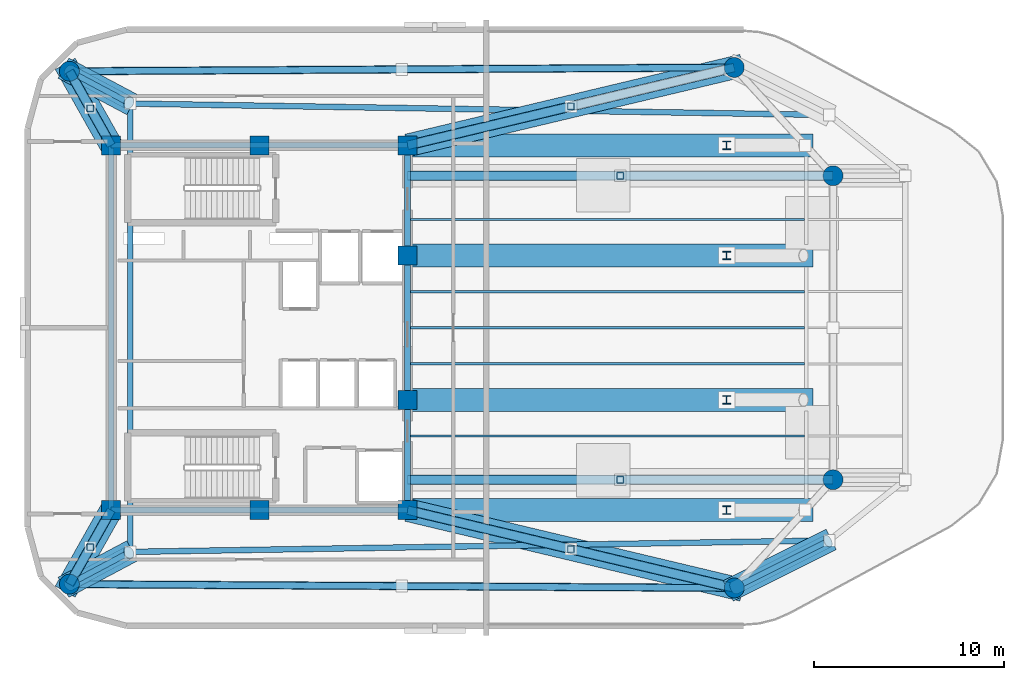
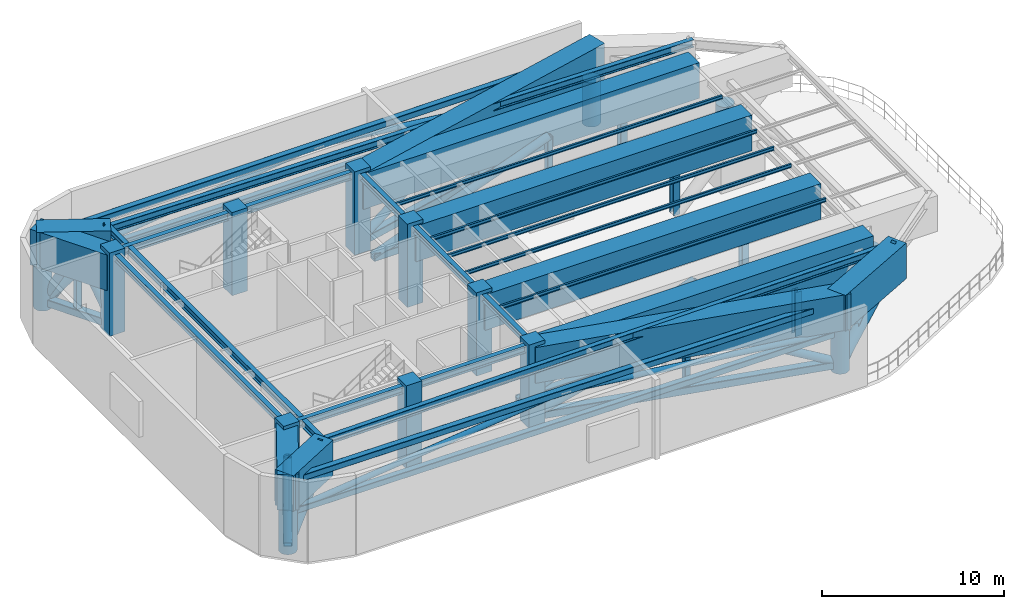
# One storey, part 1 of 6: 32 members, 28 beams, 18 columns.
"""IFC4 building model written with IfcOpenShell, lengths in metres."""

from ifc_helpers import new_model, si_unit, direction, frame, origin, origin_2d, place, context, subcontext, project, spatial, rectangle, hollow_rectangle, circle, hollow_circle, i_section, extrude, material, material_profile, profile_set, type_object, element, save


model = new_model("IFC4")

# Units and contexts
model_context = context("Model", 3, precision=1e-05, world=origin(), true_north=direction((0.0, 1.0)))
body_context = subcontext(model_context, "Body", "Model", "MODEL_VIEW")
ifc_project = project(units=[si_unit("LENGTHUNIT", "METRE"), si_unit("AREAUNIT", "SQUARE_METRE"), si_unit("VOLUMEUNIT", "CUBIC_METRE"), si_unit("PLANEANGLEUNIT", "RADIAN"), si_unit("MASSUNIT", "GRAM", prefix="KILO")], contexts=[model_context])

# Site, building, storey
site_placement = place(None, origin())
site = spatial("IfcSite", under=ifc_project, at=site_placement, CompositionType="ELEMENT")
building_placement = place(site_placement, origin())
building = spatial("IfcBuilding", under=site, at=building_placement, Name="An Khanh Terracotta Commons", CompositionType="ELEMENT")
storey_placement = place(building_placement, frame((0.0, 0.0, 248.10009765625)))
storey = spatial("IfcBuildingStorey", under=building, at=storey_placement, Name="L65", CompositionType="ELEMENT", Elevation=248.10009765625)

# Columns
ifc_material_1 = material(Name="Concrete C60/75", Category="concrete")
ifc_material_profile_1 = material_profile(ifc_material_1, circle(Radius=0.52490234375, at=origin_2d()), Name="CFST1050")
ifc_profile_set_1 = profile_set([ifc_material_profile_1], Name="Concrete C60/75")
column_type_1 = type_object("IfcColumnType", Name="COL-CFST1050", PredefinedType="COLUMN", material=ifc_profile_set_1)
for number, where, z_axis, x_axis, name in (
    (1, (19.39990234375, 10.5, 0.0), (0.0, 0.0, 1.0), (1.0, 0.0, 0.0), "L65 Perimeter CFST Mega-Column MC-01"),
    (2, (54.39990234375, 10.300048828125, 0.0), (0.0, 0.0, 1.0), (1.0, 0.0, 0.0), "L65 Perimeter CFST Mega-Column MC-02"),
    (3, (59.60009765625, 16.0, 0.0), (0.0, 0.0, 1.0), (1.0, 0.0, 0.0), "L65 Perimeter CFST Mega-Column MC-03"),
    (4, (59.60009765625, 32.0, 0.0), (0.0, 0.0, 1.0), (1.0, 0.0, 0.0), "L65 Perimeter CFST Mega-Column MC-04"),
    (5, (54.39990234375, 37.699951171875, 0.0), (0.0, 0.0, 1.0), (1.0, 0.0, 0.0), "L65 Perimeter CFST Mega-Column MC-05"),
    (6, (19.39990234375, 37.5, 0.0), (0.0, 0.0, 1.0), (1.0, 0.0, 0.0), "L65 Perimeter CFST Mega-Column MC-06"),
):
    element("IfcColumn", number, at=place(storey_placement, frame(where, z_axis=z_axis, x_axis=x_axis)), inside=storey, type_object=column_type_1, Name=name, PredefinedType="COLUMN", context=body_context, shape_type="SweptSolid", body=[
        extrude(circle(Radius=0.52490234375, at=origin_2d()), origin(), (0.0, 0.0, 1.0), 2.9599609375),
    ])
ifc_material_2 = material(Name="Steel S460ML", Category="steel")
ifc_material_profile_2 = material_profile(ifc_material_2, i_section(OverallWidth=0.406005859375, OverallDepth=0.43994140625, WebThickness=0.02392578125, FlangeThickness=0.0390625, FilletRadius=0.014892578125, at=origin_2d()), Name="HD400x314")
ifc_profile_set_2 = profile_set([ifc_material_profile_2], Name="Steel S460ML")
column_type_2 = type_object("IfcColumnType", Name="COL-HD400x314", PredefinedType="COLUMN", material=ifc_profile_set_2)
for number, where, z_axis, x_axis, name in (
    (7, (54.0, 14.39990234375, 0.0), (0.0, 0.0, 1.0), (1.0, 0.0, 0.0), "L65 Interior Frame Column TC-01"),
    (8, (54.0, 20.199951171875, 0.0), (0.0, 0.0, 1.0), (1.0, 0.0, 0.0), "L65 Interior Frame Column TC-02"),
    (9, (54.0, 27.800048828125, 0.0), (0.0, 0.0, 1.0), (1.0, 0.0, 0.0), "L65 Interior Frame Column TC-03"),
    (10, (54.0, 33.60009765625, 0.0), (0.0, 0.0, 1.0), (1.0, 0.0, 0.0), "L65 Interior Frame Column TC-04"),
):
    element("IfcColumn", number, at=place(storey_placement, frame(where, z_axis=z_axis, x_axis=x_axis)), inside=storey, type_object=column_type_2, Name=name, PredefinedType="COLUMN", context=body_context, shape_type="SweptSolid", body=[
        extrude(i_section(OverallWidth=0.406005859375, OverallDepth=0.43994140625, WebThickness=0.02392578125, FlangeThickness=0.0390625, FilletRadius=0.014892578125, at=origin_2d()), origin(), (0.0, 0.0, 1.0), 2.9599609375),
    ])
ifc_material_profile_3 = material_profile(ifc_material_1, rectangle(XDim=1.0, YDim=1.0, at=origin_2d()), Name="RC1000x1000")
ifc_profile_set_3 = profile_set([ifc_material_profile_3], Name="Concrete C60/75")
column_type_3 = type_object("IfcColumnType", Name="COL-RC1000x1000", PredefinedType="COLUMN", material=ifc_profile_set_3)
for number, where, z_axis, x_axis, name in (
    (11, (21.60009765625, 14.39990234375, 0.0), (0.0, 0.0, 1.0), (1.0, 0.0, 0.0), "L65 Core Boundary Column CC-01"),
    (12, (29.39990234375, 14.39990234375, 0.0), (0.0, 0.0, 1.0), (1.0, 0.0, 0.0), "L65 Core Boundary Column CC-02"),
    (13, (37.199951171875, 14.39990234375, 0.0), (0.0, 0.0, 1.0), (1.0, 0.0, 0.0), "L65 Core Boundary Column CC-03"),
    (14, (37.199951171875, 20.199951171875, 0.0), (0.0, 0.0, 1.0), (1.0, 0.0, 0.0), "L65 Core Boundary Column CC-04"),
    (15, (37.199951171875, 27.800048828125, 0.0), (0.0, 0.0, 1.0), (1.0, 0.0, 0.0), "L65 Core Boundary Column CC-05"),
    (16, (37.199951171875, 33.60009765625, 0.0), (0.0, 0.0, 1.0), (1.0, 0.0, 0.0), "L65 Core Boundary Column CC-06"),
    (17, (29.39990234375, 33.60009765625, 0.0), (0.0, 0.0, 1.0), (1.0, 0.0, 0.0), "L65 Core Boundary Column CC-07"),
    (18, (21.60009765625, 33.60009765625, 0.0), (0.0, 0.0, 1.0), (1.0, 0.0, 0.0), "L65 Core Boundary Column CC-08"),
):
    element("IfcColumn", number, at=place(storey_placement, frame(where, z_axis=z_axis, x_axis=x_axis)), inside=storey, type_object=column_type_3, Name=name, PredefinedType="COLUMN", context=body_context, shape_type="SweptSolid", body=[
        extrude(rectangle(XDim=1.0, YDim=1.0, at=origin_2d()), origin(), (0.0, 0.0, 1.0), 5.599853515625),
    ])

# Members
ifc_material_profile_4 = material_profile(ifc_material_2, hollow_rectangle(XDim=0.39990234375, YDim=0.39990234375, WallThickness=0.02001953125, InnerFilletRadius=0.02001953125, OuterFilletRadius=0.0400390625, at=origin_2d()), Name="SHS400x400x20")
ifc_profile_set_4 = profile_set([ifc_material_profile_4], Name="Steel S460ML")
member_type_1 = type_object("IfcMemberType", Name="BELT-CHORD-SHS400", PredefinedType="CHORD", material=ifc_profile_set_4)
for number, where, z_axis, x_axis, name in (
    (19, (19.39990234375, 10.5, 2.5498046875), (0.99998368184, -0.005712797401, 0.0), (0.005712797401, 0.99998368184, 0.0), "L65 Belt-Truss Bottom Chord 1"),
    (20, (19.39990234375, 10.5, 4.60986328125), (0.99998368184, -0.005712797401, 0.0), (0.005712797401, 0.99998368184, 0.0), "L65 Belt-Truss Top Chord 1"),
    (21, (54.39990234375, 37.699951171875, 2.5498046875), (-0.99998368184, -0.005712797401, 0.0), (0.005712797401, -0.99998368184, 0.0), "L65 Belt-Truss Bottom Chord 5"),
    (22, (54.39990234375, 37.699951171875, 4.60986328125), (-0.99998368184, -0.005712797401, 0.0), (0.005712797401, -0.99998368184, 0.0), "L65 Belt-Truss Top Chord 5"),
):
    element("IfcMember", number, at=place(storey_placement, frame(where, z_axis=z_axis, x_axis=x_axis)), inside=storey, type_object=member_type_1, Name=name, PredefinedType="CHORD", context=body_context, shape_type="SweptSolid", body=[
        extrude(hollow_rectangle(XDim=0.39990234375, YDim=0.39990234375, WallThickness=0.02001953125, InnerFilletRadius=0.02001953125, OuterFilletRadius=0.0400390625, at=origin_2d()), origin(), (0.0, 0.0, 1.0), 35.00048828125),
    ])
ifc_material_profile_5 = material_profile(ifc_material_2, hollow_rectangle(XDim=0.5, YDim=0.5, WallThickness=0.02490234375, InnerFilletRadius=0.02490234375, OuterFilletRadius=0.050048828125, at=origin_2d()), Name="SHS500x500x25")
ifc_profile_set_5 = profile_set([ifc_material_profile_5], Name="Steel S460ML")
member_type_2 = type_object("IfcMemberType", Name="BELT-CHORD-SHS500", PredefinedType="CHORD", material=ifc_profile_set_5)
member_1_placement = place(storey_placement, frame((21.60009765625, 14.39990234375, 0.449951171875), z_axis=(-0.491363608436, -0.870954536302, 0.0), x_axis=(0.870954536302, -0.491363608436, 0.0)))
element("IfcMember", 23, at=member_1_placement, inside=storey, type_object=member_type_2, Name="L65 Outrigger Bottom Chord 1", PredefinedType="CHORD", context=body_context, shape_type="SweptSolid", body=[
    extrude(hollow_rectangle(XDim=0.5, YDim=0.5, WallThickness=0.02490234375, InnerFilletRadius=0.02490234375, OuterFilletRadius=0.050048828125, at=origin_2d()), origin(), (0.0, 0.0, 1.0), 4.477783203125),
])
member_2_placement = place(storey_placement, frame((37.199951171875, 14.39990234375, 0.449951171875), z_axis=(0.972747220107, -0.231868164643, 0.0), x_axis=(0.231868164643, 0.972747220107, 0.0)))
element("IfcMember", 24, at=member_2_placement, inside=storey, type_object=member_type_2, Name="L65 Outrigger Bottom Chord 2", PredefinedType="CHORD", context=body_context, shape_type="SweptSolid", body=[
    extrude(hollow_rectangle(XDim=0.5, YDim=0.5, WallThickness=0.02490234375, InnerFilletRadius=0.02490234375, OuterFilletRadius=0.050048828125, at=origin_2d()), origin(), (0.0, 0.0, 1.0), 17.681884765625),
])
for number, where, z_axis, x_axis, name in (
    (25, (37.199951171875, 16.0, 0.449951171875), (1.0, 0.0, 0.0), (0.0, 1.0, 0.0), "L65 Outrigger Bottom Chord 3"),
    (26, (37.199951171875, 32.0, 0.449951171875), (1.0, 0.0, 0.0), (0.0, 1.0, 0.0), "L65 Outrigger Bottom Chord 4"),
):
    element("IfcMember", number, at=place(storey_placement, frame(where, z_axis=z_axis, x_axis=x_axis)), inside=storey, type_object=member_type_2, Name=name, PredefinedType="CHORD", context=body_context, shape_type="SweptSolid", body=[
        extrude(hollow_rectangle(XDim=0.5, YDim=0.5, WallThickness=0.02490234375, InnerFilletRadius=0.02490234375, OuterFilletRadius=0.050048828125, at=origin_2d()), origin(), (0.0, 0.0, 1.0), 22.400146484375),
    ])
member_3_placement = place(storey_placement, frame((37.199951171875, 33.60009765625, 0.449951171875), z_axis=(0.972747220107, 0.231868164643, 0.0), x_axis=(-0.231868164643, 0.972747220107, 0.0)))
element("IfcMember", 27, at=member_3_placement, inside=storey, type_object=member_type_2, Name="L65 Outrigger Bottom Chord 5", PredefinedType="CHORD", context=body_context, shape_type="SweptSolid", body=[
    extrude(hollow_rectangle(XDim=0.5, YDim=0.5, WallThickness=0.02490234375, InnerFilletRadius=0.02490234375, OuterFilletRadius=0.050048828125, at=origin_2d()), origin(), (0.0, 0.0, 1.0), 17.681884765625),
])
member_4_placement = place(storey_placement, frame((21.60009765625, 33.60009765625, 0.449951171875), z_axis=(-0.491363608436, 0.870954536302, 0.0), x_axis=(-0.870954536302, -0.491363608436, 0.0)))
element("IfcMember", 28, at=member_4_placement, inside=storey, type_object=member_type_2, Name="L65 Outrigger Bottom Chord 6", PredefinedType="CHORD", context=body_context, shape_type="SweptSolid", body=[
    extrude(hollow_rectangle(XDim=0.5, YDim=0.5, WallThickness=0.02490234375, InnerFilletRadius=0.02490234375, OuterFilletRadius=0.050048828125, at=origin_2d()), origin(), (0.0, 0.0, 1.0), 4.477783203125),
])
ifc_material_profile_6 = material_profile(ifc_material_2, hollow_circle(Radius=0.177734375, WallThickness=0.01611328125, at=origin_2d()), Name="CHS355.6x16")
ifc_profile_set_6 = profile_set([ifc_material_profile_6], Name="Steel S460ML")
member_type_3 = type_object("IfcMemberType", Name="BELT-DIAG-CHS355", PredefinedType="BRACE", material=ifc_profile_set_6)
for number, where, z_axis, x_axis, name in (
    (29, (19.39990234375, 10.5, 2.5498046875), (0.993126444661, -0.005680550255, 0.116908495257), (0.005719772506, 0.999983641967, 0.0), "L65 Belt-Truss Web Diagonal 1A"),
    (30, (54.39990234375, 10.300048828125, 2.5498046875), (-0.993126522729, 0.0056666957, 0.116908504447), (-0.005705822296, -0.999983721663, 0.0), "L65 Belt-Truss Web Diagonal 1B"),
    (31, (54.39990234375, 37.699951171875, 2.5498046875), (-0.993126522729, -0.0056666957, 0.116908504447), (0.005705822296, -0.999983721663, 0.0), "L65 Belt-Truss Web Diagonal 5A"),
    (32, (19.39990234375, 37.5, 2.5498046875), (0.993126444661, 0.005680550255, 0.116908495257), (-0.005719772506, 0.999983641967, 0.0), "L65 Belt-Truss Web Diagonal 5B"),
):
    element("IfcMember", number, at=place(storey_placement, frame(where, z_axis=z_axis, x_axis=x_axis)), inside=storey, type_object=member_type_3, Name=name, PredefinedType="BRACE", context=body_context, shape_type="SweptSolid", body=[
        extrude(hollow_circle(Radius=0.177734375, WallThickness=0.01611328125, at=origin_2d()), origin(), (0.0, 0.0, 1.0), 17.62109375),
    ])
ifc_material_profile_7 = material_profile(ifc_material_2, hollow_rectangle(XDim=0.35009765625, YDim=0.35009765625, WallThickness=0.01611328125, InnerFilletRadius=0.01611328125, OuterFilletRadius=0.031982421875, at=origin_2d()), Name="SHS350x350x16")
ifc_profile_set_7 = profile_set([ifc_material_profile_7], Name="Steel S460ML")
member_type_4 = type_object("IfcMemberType", Name="BELT-STRUT-SHS350", PredefinedType="STRUT", material=ifc_profile_set_7)
for number, where, z_axis, x_axis, name in (
    (33, (20.5, 12.449951171875, 0.449951171875), (0.0, 0.0, 1.0), (1.0, 0.0, 0.0), "L65 Outrigger Vertical Post 1"),
    (34, (45.800048828125, 12.35009765625, 0.449951171875), (0.0, 0.0, 1.0), (1.0, 0.0, 0.0), "L65 Outrigger Vertical Post 2"),
    (35, (48.39990234375, 16.0, 0.449951171875), (0.0, 0.0, 1.0), (1.0, 0.0, 0.0), "L65 Outrigger Vertical Post 3"),
    (36, (48.39990234375, 32.0, 0.449951171875), (0.0, 0.0, 1.0), (1.0, 0.0, 0.0), "L65 Outrigger Vertical Post 4"),
    (37, (45.800048828125, 35.64990234375, 0.449951171875), (0.0, 0.0, 1.0), (1.0, 0.0, 0.0), "L65 Outrigger Vertical Post 5"),
    (38, (20.5, 35.550048828125, 0.449951171875), (0.0, 0.0, 1.0), (1.0, 0.0, 0.0), "L65 Outrigger Vertical Post 6"),
):
    element("IfcMember", number, at=place(storey_placement, frame(where, z_axis=z_axis, x_axis=x_axis)), inside=storey, type_object=member_type_4, Name=name, PredefinedType="STRUT", context=body_context, shape_type="SweptSolid", body=[
        extrude(hollow_rectangle(XDim=0.35009765625, YDim=0.35009765625, WallThickness=0.01611328125, InnerFilletRadius=0.01611328125, OuterFilletRadius=0.031982421875, at=origin_2d()), origin(), (0.0, 0.0, 1.0), 4.159912109375),
    ])

# Beams
ifc_material_3 = material(Name="Steel S355J2", Category="steel")
ifc_material_profile_8 = material_profile(ifc_material_3, i_section(OverallWidth=0.300048828125, OverallDepth=0.449951171875, WebThickness=0.013916015625, FlangeThickness=0.02587890625, FilletRadius=0.027099609375, at=origin_2d()), Name="HEB450")
ifc_profile_set_8 = profile_set([ifc_material_profile_8], Name="Steel S355J2")
beam_type_1 = type_object("IfcBeamType", Name="BM-HEB450", PredefinedType="BEAM", material=ifc_profile_set_8)
beam_1_placement = place(storey_placement, frame((37.199951171875, 14.39990234375, 5.135009765625), z_axis=(0.0, 1.0, 0.0), x_axis=(-1.0, 0.0, 0.0)))
element("IfcBeam", 39, at=beam_1_placement, inside=storey, type_object=beam_type_1, Name="L65 Core East Coupling Girder 1", PredefinedType="BEAM", context=body_context, shape_type="SweptSolid", body=[
    extrude(i_section(OverallWidth=0.300048828125, OverallDepth=0.449951171875, WebThickness=0.013916015625, FlangeThickness=0.02587890625, FilletRadius=0.027099609375, at=origin_2d()), origin(), (0.0, 0.0, 1.0), 5.800048828125),
])
beam_2_placement = place(storey_placement, frame((37.199951171875, 20.199951171875, 5.135009765625), z_axis=(0.0, 1.0, 0.0), x_axis=(-1.0, 0.0, 0.0)))
element("IfcBeam", 40, at=beam_2_placement, inside=storey, type_object=beam_type_1, Name="L65 Core East Coupling Girder 2", PredefinedType="BEAM", context=body_context, shape_type="SweptSolid", body=[
    extrude(i_section(OverallWidth=0.300048828125, OverallDepth=0.449951171875, WebThickness=0.013916015625, FlangeThickness=0.02587890625, FilletRadius=0.027099609375, at=origin_2d()), origin(), (0.0, 0.0, 1.0), 7.60009765625),
])
beam_3_placement = place(storey_placement, frame((37.199951171875, 27.800048828125, 5.135009765625), z_axis=(0.0, 1.0, 0.0), x_axis=(-1.0, 0.0, 0.0)))
element("IfcBeam", 41, at=beam_3_placement, inside=storey, type_object=beam_type_1, Name="L65 Core East Coupling Girder 3", PredefinedType="BEAM", context=body_context, shape_type="SweptSolid", body=[
    extrude(i_section(OverallWidth=0.300048828125, OverallDepth=0.449951171875, WebThickness=0.013916015625, FlangeThickness=0.02587890625, FilletRadius=0.027099609375, at=origin_2d()), origin(), (0.0, 0.0, 1.0), 5.800048828125),
])
beam_4_placement = place(storey_placement, frame((21.60009765625, 14.39990234375, 5.135009765625), z_axis=(0.0, 1.0, 0.0), x_axis=(-1.0, 0.0, 0.0)))
element("IfcBeam", 42, at=beam_4_placement, inside=storey, type_object=beam_type_1, Name="L65 Core West Coupling Girder", PredefinedType="BEAM", context=body_context, shape_type="SweptSolid", body=[
    extrude(i_section(OverallWidth=0.300048828125, OverallDepth=0.449951171875, WebThickness=0.013916015625, FlangeThickness=0.02587890625, FilletRadius=0.027099609375, at=origin_2d()), origin(), (0.0, 0.0, 1.0), 19.2001953125),
])
ifc_material_profile_9 = material_profile(ifc_material_3, i_section(OverallWidth=0.300048828125, OverallDepth=0.5, WebThickness=0.014404296875, FlangeThickness=0.028076171875, FilletRadius=0.027099609375, at=origin_2d()), Name="HEB500")
ifc_profile_set_9 = profile_set([ifc_material_profile_9], Name="Steel S355J2")
beam_type_2 = type_object("IfcBeamType", Name="BM-HEB500", PredefinedType="BEAM", material=ifc_profile_set_9)
for number, where, z_axis, x_axis, name in (
    (43, (21.60009765625, 14.39990234375, 5.10986328125), (1.0, 0.0, 0.0), (0.0, 1.0, 0.0), "L65 Core South Coupling Girder"),
    (44, (21.60009765625, 33.60009765625, 5.10986328125), (1.0, 0.0, 0.0), (0.0, 1.0, 0.0), "L65 Core North Coupling Girder"),
):
    element("IfcBeam", number, at=place(storey_placement, frame(where, z_axis=z_axis, x_axis=x_axis)), inside=storey, type_object=beam_type_2, Name=name, PredefinedType="BEAM", context=body_context, shape_type="SweptSolid", body=[
        extrude(i_section(OverallWidth=0.300048828125, OverallDepth=0.5, WebThickness=0.014404296875, FlangeThickness=0.028076171875, FilletRadius=0.027099609375, at=origin_2d()), origin(), (0.0, 0.0, 1.0), 15.599853515625),
    ])
for number, where, z_axis, x_axis, name in (
    (45, (22.60009765625, 12.199951171875, 5.10986328125), (0.999867065951, 0.01630492031, 0.0), (-0.01630492031, 0.999867065951, 0.0), "L65 Perimeter Ring Spandrel 1"),
    (46, (59.39990234375, 35.199951171875, 5.10986328125), (-0.999867065951, 0.01630492031, 0.0), (-0.01630492031, -0.999867065951, 0.0), "L65 Perimeter Ring Spandrel 5"),
):
    element("IfcBeam", number, at=place(storey_placement, frame(where, z_axis=z_axis, x_axis=x_axis)), inside=storey, type_object=beam_type_2, Name=name, PredefinedType="BEAM", context=body_context, shape_type="SweptSolid", body=[
        extrude(i_section(OverallWidth=0.300048828125, OverallDepth=0.5, WebThickness=0.014404296875, FlangeThickness=0.028076171875, FilletRadius=0.027099609375, at=origin_2d()), origin(), (0.0, 0.0, 1.0), 36.8046875),
    ])
beam_5_placement = place(storey_placement, frame((22.60009765625, 35.800048828125, 5.10986328125), z_axis=(0.0, -1.0, 0.0), x_axis=(1.0, 0.0, 0.0)))
element("IfcBeam", 47, at=beam_5_placement, inside=storey, type_object=beam_type_2, Name="L65 Perimeter Ring Spandrel 6", PredefinedType="BEAM", context=body_context, shape_type="SweptSolid", body=[
    extrude(i_section(OverallWidth=0.300048828125, OverallDepth=0.5, WebThickness=0.014404296875, FlangeThickness=0.028076171875, FilletRadius=0.027099609375, at=origin_2d()), origin(), (0.0, 0.0, 1.0), 23.60009765625),
])
ifc_material_profile_10 = material_profile(ifc_material_3, i_section(OverallWidth=0.300048828125, OverallDepth=0.60009765625, WebThickness=0.015380859375, FlangeThickness=0.030029296875, FilletRadius=0.027099609375, at=origin_2d()), Name="HEB600")
ifc_profile_set_10 = profile_set([ifc_material_profile_10], Name="Steel S355J2")
beam_type_3 = type_object("IfcBeamType", Name="BM-HEB600", PredefinedType="BEAM", material=ifc_profile_set_10)
beam_6_placement = place(storey_placement, frame((19.39990234375, 10.5, 0.0), z_axis=(0.501664666971, 0.266485434553, 0.822993362721), x_axis=(-0.469122385497, 0.883133165172, 0.0)))
element("IfcBeam", 48, at=beam_6_placement, inside=storey, type_object=beam_type_3, Name="L65 Outrigger Lower Column Tie Beam 1", PredefinedType="BEAM", context=body_context, shape_type="SweptSolid", body=[
    extrude(i_section(OverallWidth=0.300048828125, OverallDepth=0.60009765625, WebThickness=0.015380859375, FlangeThickness=0.030029296875, FilletRadius=0.027099609375, at=origin_2d()), origin(), (0.0, 0.0, 1.0), 6.379150390625),
])
beam_7_placement = place(storey_placement, frame((54.39990234375, 10.300048828125, 0.0), z_axis=(0.651981366639, 0.325990683319, 0.684580434971), x_axis=(-0.4472135955, 0.894427191, 0.0)))
element("IfcBeam", 49, at=beam_7_placement, inside=storey, type_object=beam_type_3, Name="L65 Outrigger Lower Column Tie Beam 2", PredefinedType="BEAM", context=body_context, shape_type="SweptSolid", body=[
    extrude(i_section(OverallWidth=0.300048828125, OverallDepth=0.60009765625, WebThickness=0.015380859375, FlangeThickness=0.030029296875, FilletRadius=0.027099609375, at=origin_2d()), origin(), (0.0, 0.0, 1.0), 7.6689453125),
])
beam_8_placement = place(storey_placement, frame((19.39990234375, 37.5, 0.0), z_axis=(0.501664666971, -0.266485434553, 0.822993362721), x_axis=(0.469122385497, 0.883133165172, 0.0)))
element("IfcBeam", 50, at=beam_8_placement, inside=storey, type_object=beam_type_3, Name="L65 Outrigger Lower Column Tie Beam 6", PredefinedType="BEAM", context=body_context, shape_type="SweptSolid", body=[
    extrude(i_section(OverallWidth=0.300048828125, OverallDepth=0.60009765625, WebThickness=0.015380859375, FlangeThickness=0.030029296875, FilletRadius=0.027099609375, at=origin_2d()), origin(), (0.0, 0.0, 1.0), 6.379150390625),
])
ifc_material_profile_11 = material_profile(ifc_material_3, i_section(OverallWidth=0.1201171875, OverallDepth=0.239990234375, WebThickness=0.006103515625, FlangeThickness=0.009765625, FilletRadius=0.014892578125, at=origin_2d()), Name="IPE240")
ifc_profile_set_11 = profile_set([ifc_material_profile_11], Name="Steel S355J2")
beam_type_4 = type_object("IfcBeamType", Name="BM-IPE240", PredefinedType="JOIST", material=ifc_profile_set_11)
for number, where, z_axis, x_axis, name in (
    (51, (37.199951171875, 18.300048828125, 5.239990234375), (1.0, 0.0, 0.0), (0.0, 1.0, 0.0), "L65 Inboard Composite Joist 2"),
    (52, (37.199951171875, 22.10009765625, 5.239990234375), (1.0, 0.0, 0.0), (0.0, 1.0, 0.0), "L65 Inboard Composite Joist 3"),
    (53, (37.199951171875, 24.0, 5.239990234375), (1.0, 0.0, 0.0), (0.0, 1.0, 0.0), "L65 Inboard Composite Joist 4"),
    (54, (37.199951171875, 25.89990234375, 5.239990234375), (1.0, 0.0, 0.0), (0.0, 1.0, 0.0), "L65 Inboard Composite Joist 5"),
    (55, (37.199951171875, 29.699951171875, 5.239990234375), (1.0, 0.0, 0.0), (0.0, 1.0, 0.0), "L65 Inboard Composite Joist 6"),
):
    element("IfcBeam", number, at=place(storey_placement, frame(where, z_axis=z_axis, x_axis=x_axis)), inside=storey, type_object=beam_type_4, Name=name, PredefinedType="JOIST", context=body_context, shape_type="SweptSolid", body=[
        extrude(i_section(OverallWidth=0.1201171875, OverallDepth=0.239990234375, WebThickness=0.006103515625, FlangeThickness=0.009765625, FilletRadius=0.014892578125, at=origin_2d()), origin(), (0.0, 0.0, 1.0), 20.905029296875),
    ])
ifc_material_profile_12 = material_profile(ifc_material_1, rectangle(XDim=1.199951171875, YDim=2.39990234375, at=origin_2d()), Name="RCB1200x2400")
ifc_profile_set_12 = profile_set([ifc_material_profile_12], Name="Concrete C60/75")
beam_type_5 = type_object("IfcBeamType", Name="BM-RCB1200x2400", PredefinedType="BEAM", material=ifc_profile_set_12)
beam_9_placement = place(storey_placement, frame((21.60009765625, 14.39990234375, 4.159912109375), z_axis=(-0.491324078003, -0.870976836876, 0.0), x_axis=(0.870976836876, -0.491324078003, 0.0)))
element("IfcBeam", 56, at=beam_9_placement, inside=storey, type_object=beam_type_5, Name="L65 Outrigger Core-to-Mega Transfer Girder 1", PredefinedType="BEAM", context=body_context, shape_type="SweptSolid", body=[
    extrude(rectangle(XDim=1.199951171875, YDim=2.39990234375, at=origin_2d()), origin(), (0.0, 0.0, 1.0), 4.927734375),
])
beam_10_placement = place(storey_placement, frame((19.091064453125, 10.3359375, 4.159912109375), z_axis=(0.883145834807, 0.469098533853, 0.0), x_axis=(-0.469098533853, 0.883145834807, 0.0)))
element("IfcBeam", 57, at=beam_10_placement, inside=storey, type_object=beam_type_5, Name="L65 Mega-Column Step-Out Transfer Girder 1", PredefinedType="BEAM", context=body_context, shape_type="SweptSolid", body=[
    extrude(rectangle(XDim=1.199951171875, YDim=2.39990234375, at=origin_2d()), origin(), (0.0, 0.0, 1.0), 4.09326171875),
])
beam_11_placement = place(storey_placement, frame((37.199951171875, 14.39990234375, 4.159912109375), z_axis=(0.972752156334, -0.231847454909, 0.0), x_axis=(0.231847454909, 0.972752156334, 0.0)))
element("IfcBeam", 58, at=beam_11_placement, inside=storey, type_object=beam_type_5, Name="L65 Outrigger Core-to-Mega Transfer Girder 2", PredefinedType="BEAM", context=body_context, shape_type="SweptSolid", body=[
    extrude(rectangle(XDim=1.199951171875, YDim=2.39990234375, at=origin_2d()), origin(), (0.0, 0.0, 1.0), 18.132080078125),
])
beam_12_placement = place(storey_placement, frame((54.0869140625, 10.14306640625, 4.159912109375), z_axis=(0.894370784667, 0.447326390385, 0.0), x_axis=(-0.447326390385, 0.894370784667, 0.0)))
element("IfcBeam", 59, at=beam_12_placement, inside=storey, type_object=beam_type_5, Name="L65 Mega-Column Step-Out Transfer Girder 2", PredefinedType="BEAM", context=body_context, shape_type="SweptSolid", body=[
    extrude(rectangle(XDim=1.199951171875, YDim=2.39990234375, at=origin_2d()), origin(), (0.0, 0.0, 1.0), 6.060302734375),
])
beam_13_placement = place(storey_placement, frame((37.199951171875, 33.60009765625, 4.159912109375), z_axis=(0.972752156334, 0.231847454909, 0.0), x_axis=(-0.231847454909, 0.972752156334, 0.0)))
element("IfcBeam", 60, at=beam_13_placement, inside=storey, type_object=beam_type_5, Name="L65 Outrigger Core-to-Mega Transfer Girder 5", PredefinedType="BEAM", context=body_context, shape_type="SweptSolid", body=[
    extrude(rectangle(XDim=1.199951171875, YDim=2.39990234375, at=origin_2d()), origin(), (0.0, 0.0, 1.0), 18.132080078125),
])
beam_14_placement = place(storey_placement, frame((21.60009765625, 33.60009765625, 4.159912109375), z_axis=(-0.491324078003, 0.870976836876, 0.0), x_axis=(-0.870976836876, -0.491324078003, 0.0)))
element("IfcBeam", 61, at=beam_14_placement, inside=storey, type_object=beam_type_5, Name="L65 Outrigger Core-to-Mega Transfer Girder 6", PredefinedType="BEAM", context=body_context, shape_type="SweptSolid", body=[
    extrude(rectangle(XDim=1.199951171875, YDim=2.39990234375, at=origin_2d()), origin(), (0.0, 0.0, 1.0), 4.927734375),
])
beam_15_placement = place(storey_placement, frame((19.091064453125, 37.6640625, 4.159912109375), z_axis=(0.883145834807, -0.469098533853, 0.0), x_axis=(0.469098533853, 0.883145834807, 0.0)))
element("IfcBeam", 62, at=beam_15_placement, inside=storey, type_object=beam_type_5, Name="L65 Mega-Column Step-Out Transfer Girder 6", PredefinedType="BEAM", context=body_context, shape_type="SweptSolid", body=[
    extrude(rectangle(XDim=1.199951171875, YDim=2.39990234375, at=origin_2d()), origin(), (0.0, 0.0, 1.0), 4.09326171875),
])
for number, where, z_axis, x_axis, name in (
    (63, (37.199951171875, 14.39990234375, 4.159912109375), (1.0, 0.0, 0.0), (0.0, 1.0, 0.0), "L65 Interior Column Step-Out Transfer Girder 1"),
    (64, (37.199951171875, 20.199951171875, 4.159912109375), (1.0, 0.0, 0.0), (0.0, 1.0, 0.0), "L65 Interior Column Step-Out Transfer Girder 2"),
    (65, (37.199951171875, 27.800048828125, 4.159912109375), (1.0, 0.0, 0.0), (0.0, 1.0, 0.0), "L65 Interior Column Step-Out Transfer Girder 3"),
    (66, (37.199951171875, 33.60009765625, 4.159912109375), (1.0, 0.0, 0.0), (0.0, 1.0, 0.0), "L65 Interior Column Step-Out Transfer Girder 4"),
):
    element("IfcBeam", number, at=place(storey_placement, frame(where, z_axis=z_axis, x_axis=x_axis)), inside=storey, type_object=beam_type_5, Name=name, PredefinedType="BEAM", context=body_context, shape_type="SweptSolid", body=[
        extrude(rectangle(XDim=1.199951171875, YDim=2.39990234375, at=origin_2d()), origin(), (0.0, 0.0, 1.0), 21.35009765625),
    ])

# Members
ifc_material_profile_13 = material_profile(ifc_material_2, hollow_circle(Radius=0.25390625, WallThickness=0.02490234375, at=origin_2d()), Name="CHS508x25")
ifc_profile_set_13 = profile_set([ifc_material_profile_13], Name="Steel S460ML")
member_type_5 = type_object("IfcMemberType", Name="OUTRIGGER-DIAG-CHS508", PredefinedType="BRACE", material=ifc_profile_set_13)
for number, where, z_axis, x_axis, name in (
    (67, (21.60009765625, 14.39990234375, 0.449951171875), (-0.232867835806, -0.412764182109, 0.8805670338), (0.870954536302, -0.491363608436, 0.0), "L65 Outrigger Tie Diagonal 1A"),
    (68, (20.5, 12.449951171875, 4.60986328125), (-0.232867835806, -0.412764182109, -0.8805670338), (0.870954536302, -0.491363608436, 0.0), "L65 Outrigger Tie Diagonal 1B"),
):
    element("IfcMember", number, at=place(storey_placement, frame(where, z_axis=z_axis, x_axis=x_axis)), inside=storey, type_object=member_type_5, Name=name, PredefinedType="BRACE", context=body_context, shape_type="SweptSolid", body=[
        extrude(hollow_circle(Radius=0.25390625, WallThickness=0.02490234375, at=origin_2d()), origin(), (0.0, 0.0, 1.0), 4.72412109375),
    ])
member_5_placement = place(storey_placement, frame((37.199951171875, 14.39990234375, 0.449951171875), z_axis=(0.880184886589, -0.209789141765, 0.425750022216), x_axis=(0.23185198542, 0.972751076513, 0.0)))
element("IfcMember", 69, at=member_5_placement, inside=storey, type_object=member_type_5, Name="L65 Outrigger Tie Diagonal 2A", PredefinedType="BRACE", context=body_context, shape_type="SweptSolid", body=[
    extrude(hollow_circle(Radius=0.25390625, WallThickness=0.02490234375, at=origin_2d()), origin(), (0.0, 0.0, 1.0), 9.770751953125),
])
member_6_placement = place(storey_placement, frame((45.800048828125, 12.35009765625, 4.60986328125), z_axis=(0.880174643209, -0.209817643124, -0.425757153886), x_axis=(0.231884344133, 0.972743363352, 0.0)))
element("IfcMember", 70, at=member_6_placement, inside=storey, type_object=member_type_5, Name="L65 Outrigger Tie Diagonal 2B", PredefinedType="BRACE", context=body_context, shape_type="SweptSolid", body=[
    extrude(hollow_circle(Radius=0.25390625, WallThickness=0.02490234375, at=origin_2d()), origin(), (0.0, 0.0, 1.0), 9.7705078125),
])
for number, where, z_axis, x_axis, name in (
    (71, (37.199951171875, 16.0, 0.449951171875), (0.937427177641, 0.0, 0.348181399015), (0.0, 1.0, 0.0), "L65 Outrigger Tie Diagonal 3A"),
    (72, (37.199951171875, 32.0, 0.449951171875), (0.937427177641, 0.0, 0.348181399015), (0.0, 1.0, 0.0), "L65 Outrigger Tie Diagonal 4A"),
):
    element("IfcMember", number, at=place(storey_placement, frame(where, z_axis=z_axis, x_axis=x_axis)), inside=storey, type_object=member_type_5, Name=name, PredefinedType="BRACE", context=body_context, shape_type="SweptSolid", body=[
        extrude(hollow_circle(Radius=0.25390625, WallThickness=0.02490234375, at=origin_2d()), origin(), (0.0, 0.0, 1.0), 11.947509765625),
    ])
member_7_placement = place(storey_placement, frame((37.199951171875, 33.60009765625, 0.449951171875), z_axis=(0.880184886589, 0.209789141765, 0.425750022216), x_axis=(-0.23185198542, 0.972751076513, 0.0)))
element("IfcMember", 73, at=member_7_placement, inside=storey, type_object=member_type_5, Name="L65 Outrigger Tie Diagonal 5A", PredefinedType="BRACE", context=body_context, shape_type="SweptSolid", body=[
    extrude(hollow_circle(Radius=0.25390625, WallThickness=0.02490234375, at=origin_2d()), origin(), (0.0, 0.0, 1.0), 9.770751953125),
])
for number, where, z_axis, x_axis, name in (
    (74, (21.60009765625, 33.60009765625, 0.449951171875), (-0.232867835806, 0.412764182109, 0.8805670338), (-0.870954536302, -0.491363608436, 0.0), "L65 Outrigger Tie Diagonal 6A"),
    (75, (20.5, 35.550048828125, 4.60986328125), (-0.232867835806, 0.412764182109, -0.8805670338), (-0.870954536302, -0.491363608436, 0.0), "L65 Outrigger Tie Diagonal 6B"),
):
    element("IfcMember", number, at=place(storey_placement, frame(where, z_axis=z_axis, x_axis=x_axis)), inside=storey, type_object=member_type_5, Name=name, PredefinedType="BRACE", context=body_context, shape_type="SweptSolid", body=[
        extrude(hollow_circle(Radius=0.25390625, WallThickness=0.02490234375, at=origin_2d()), origin(), (0.0, 0.0, 1.0), 4.72412109375),
    ])
ifc_material_profile_14 = material_profile(ifc_material_2, hollow_circle(Radius=0.35546875, WallThickness=0.031982421875, at=origin_2d()), Name="CHS711x32")
ifc_profile_set_14 = profile_set([ifc_material_profile_14], Name="Steel S460ML")
member_type_6 = type_object("IfcMemberType", Name="OUTRIGGER-RAKE-CHS711", PredefinedType="STRUT", material=ifc_profile_set_14)
member_8_placement = place(storey_placement, frame((19.39990234375, 10.5, 0.449951171875), z_axis=(0.609958090092, 0.323991158411, 0.723174154407), x_axis=(-0.469099807797, 0.883145158128, 0.0)))
element("IfcMember", 76, at=member_8_placement, inside=storey, type_object=member_type_6, Name="L65 Zone-Step Raking Outrigger Strut 1", PredefinedType="STRUT", context=body_context, shape_type="SweptSolid", body=[
    extrude(hollow_circle(Radius=0.35546875, WallThickness=0.031982421875, at=origin_2d()), origin(), (0.0, 0.0, 1.0), 5.130126953125),
])
member_9_placement = place(storey_placement, frame((54.39990234375, 10.300048828125, 0.449951171875), z_axis=(0.741914551544, 0.370938897903, 0.558540179602), x_axis=(-0.447195870645, 0.894436053208, 0.0)))
element("IfcMember", 77, at=member_9_placement, inside=storey, type_object=member_type_6, Name="L65 Zone-Step Raking Outrigger Strut 2", PredefinedType="STRUT", context=body_context, shape_type="SweptSolid", body=[
    extrude(hollow_circle(Radius=0.35546875, WallThickness=0.031982421875, at=origin_2d()), origin(), (0.0, 0.0, 1.0), 6.642333984375),
])
member_10_placement = place(storey_placement, frame((19.39990234375, 37.5, 0.449951171875), z_axis=(0.609958090092, -0.323991158411, 0.723174154407), x_axis=(0.469099807797, 0.883145158128, 0.0)))
element("IfcMember", 78, at=member_10_placement, inside=storey, type_object=member_type_6, Name="L65 Zone-Step Raking Outrigger Strut 6", PredefinedType="STRUT", context=body_context, shape_type="SweptSolid", body=[
    extrude(hollow_circle(Radius=0.35546875, WallThickness=0.031982421875, at=origin_2d()), origin(), (0.0, 0.0, 1.0), 5.130126953125),
])

save(model, "model.ifc")
